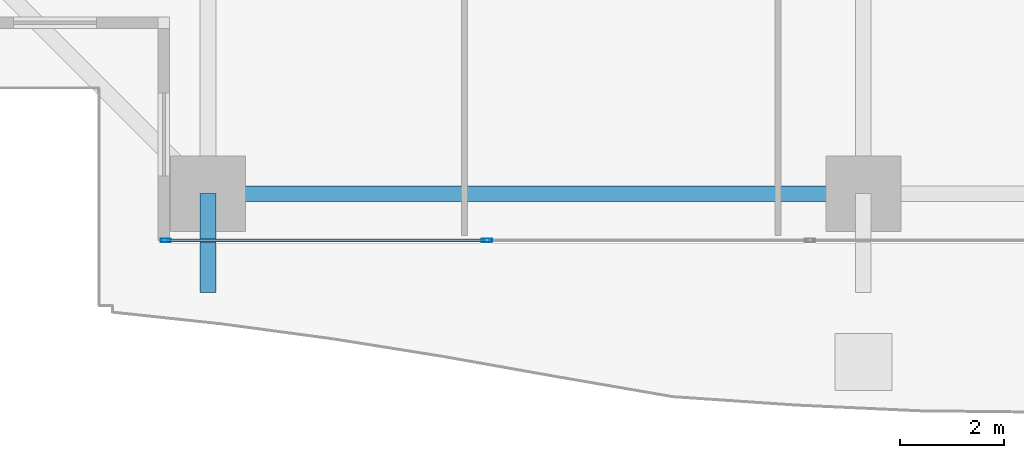
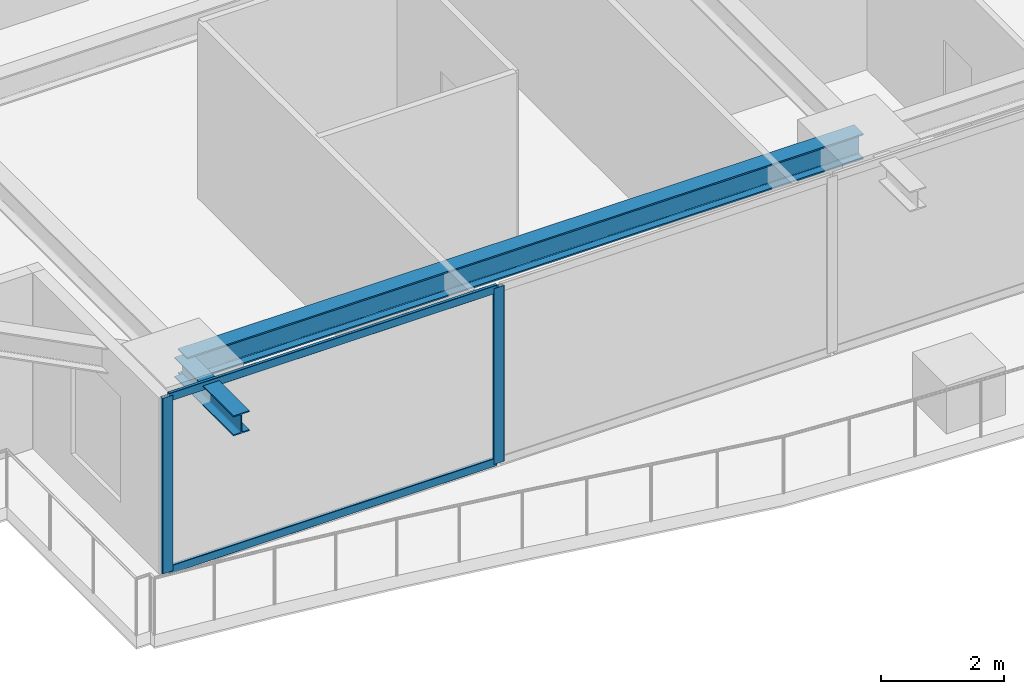
# One storey, part 2 of 39: 4 members, 2 beams, 1 element without a shape of its own.
"""IFC4 building model written with IfcOpenShell, lengths in metres."""

from ifc_helpers import new_model, si_unit, direction, frame, origin, origin_2d, place, context, subcontext, project, spatial, hollow_rectangle, i_section, extrude, source, transform, mapped, material, layer, layer_set, material_profile, profile_set, type_object, element, aggregate, save


model = new_model("IFC4")

# Units and contexts
model_context = context("Model", 3, precision=1e-05, world=origin(), true_north=direction((0.0, 1.0)))
body_context = subcontext(model_context, "Body", "Model", "MODEL_VIEW")
ifc_project = project(units=[si_unit("LENGTHUNIT", "METRE"), si_unit("AREAUNIT", "SQUARE_METRE"), si_unit("VOLUMEUNIT", "CUBIC_METRE"), si_unit("PLANEANGLEUNIT", "RADIAN"), si_unit("MASSUNIT", "GRAM", prefix="KILO")], contexts=[model_context])

# Site, building, storey
site_placement = place(None, origin())
site = spatial("IfcSite", under=ifc_project, at=site_placement, CompositionType="ELEMENT")
building_placement = place(site_placement, origin())
building = spatial("IfcBuilding", under=site, at=building_placement, Name="Serunith Strait Residences", CompositionType="ELEMENT")
storey_placement = place(building_placement, frame((0.0, 0.0, 49.199951171875)))
storey = spatial("IfcBuildingStorey", under=building, at=storey_placement, Name="L11", CompositionType="ELEMENT", Elevation=49.199951171875)

# Beams
ifc_material_1 = material(Name="Steel S355J2", Category="steel")
ifc_material_profile_1 = material_profile(ifc_material_1, i_section(OverallWidth=0.300048828125, OverallDepth=0.5, WebThickness=0.014404296875, FlangeThickness=0.028076171875, FilletRadius=0.027099609375, at=origin_2d()), Name="HEB 500")
ifc_profile_set_1 = profile_set([ifc_material_profile_1], Name="Steel S355J2")
beam_type_1 = type_object("IfcBeamType", Name="BM-HEB500", PredefinedType="BEAM", material=ifc_profile_set_1)
shared_shape_1 = source(origin(), body_context, "Body", "SweptSolid", [
    extrude(i_section(OverallWidth=0.300048828125, OverallDepth=0.5, WebThickness=0.014404296875, FlangeThickness=0.028076171875, FilletRadius=0.027099609375, at=origin_2d()), origin(), (0.0, 0.0, 1.0), 12.64990234375),
])
beam_1_placement = place(storey_placement, frame((15.25, 1.10009765625, 3.237060546875), z_axis=(1.0, 0.0, 0.0), x_axis=(0.0, 1.0, 0.0)))
element("IfcBeam", 1, at=beam_1_placement, inside=storey, type_object=beam_type_1, Name="L11 Perimeter Ring Beam 01", PredefinedType="BEAM", context=body_context, shape_type="MappedRepresentation", body=[
    mapped(shared_shape_1, transform((0.0, 0.0, 0.0), scale=1.0)),
])
ifc_material_profile_2 = material_profile(ifc_material_1, i_section(OverallWidth=0.300048828125, OverallDepth=0.39990234375, WebThickness=0.013427734375, FlangeThickness=0.02392578125, FilletRadius=0.027099609375, at=origin_2d()), Name="HEB 400")
ifc_profile_set_2 = profile_set([ifc_material_profile_2], Name="Steel S355J2")
beam_type_2 = type_object("IfcBeamType", Name="BM-HEB400", PredefinedType="BEAM", material=ifc_profile_set_2)
shared_shape_2 = source(origin(), body_context, "Body", "SweptSolid", [
    extrude(i_section(OverallWidth=0.300048828125, OverallDepth=0.39990234375, WebThickness=0.013427734375, FlangeThickness=0.02392578125, FilletRadius=0.027099609375, at=origin_2d()), origin(), (0.0, 0.0, 1.0), 1.91015625),
])
beam_2_placement = place(storey_placement, frame((15.25, 1.10009765625, 3.257080078125), z_axis=(0.0, -1.0, 0.0), x_axis=(1.0, 0.0, 0.0)))
element("IfcBeam", 2, at=beam_2_placement, inside=storey, type_object=beam_type_2, Name="L12 Cantilevered Balcony Rib TC-S1", PredefinedType="BEAM", context=body_context, shape_type="MappedRepresentation", body=[
    mapped(shared_shape_2, transform((0.0, 0.0, 0.0), scale=1.0)),
])

# Curtain wall, members
ifc_material_2 = material(Name="Pale-Champagne Anodised Aluminium", Category="aluminium")
ifc_layer = layer(ifc_material_2, 0.199951171875, Name="Pale-Champagne Anodised Aluminium")
ifc_layer_set = layer_set([ifc_layer], Name="Pale-Champagne Anodised Aluminium")
curtain_wall_type = type_object("IfcCurtainWallType", Name="CW-SYS1", PredefinedType="NOTDEFINED", material=ifc_layer_set)
curtain_wall_placement = place(storey_placement, origin())
curtain_wall = element("IfcCurtainWall", 3, at=curtain_wall_placement, inside=storey, type_object=curtain_wall_type, Name="L11 S Unitised Fritted Curtain Wall", PredefinedType="NOTDEFINED")
ifc_material_profile_3 = material_profile(ifc_material_2, hollow_rectangle(XDim=0.070068359375, YDim=0.199951171875, WallThickness=0.00390625, InnerFilletRadius=0.006103515625, OuterFilletRadius=0.010009765625, at=origin_2d()), Name="ALU 200x70x4")
ifc_profile_set_3 = profile_set([ifc_material_profile_3], Name="Pale-Champagne Anodised Aluminium")
member_type_1 = type_object("IfcMemberType", Name="CW-SYS1-MULL", PredefinedType="MULLION", material=ifc_profile_set_3)
shared_shape_3 = source(origin(), body_context, "Body", "SweptSolid", [
    extrude(hollow_rectangle(XDim=0.070068359375, YDim=0.199951171875, WallThickness=0.00390625, InnerFilletRadius=0.006103515625, OuterFilletRadius=0.010009765625, at=origin_2d()), origin(), (0.0, 0.0, 1.0), 3.47509765625),
])
member_1_placement = place(storey_placement, frame((14.43505859375, 0.199951171875, 0.0), z_axis=(0.0, 0.0, 1.0), x_axis=(0.0, 1.0, 0.0)))
member_1 = element("IfcMember", 4, at=member_1_placement, type_object=member_type_1, Name="CW-1 mullion 1", PredefinedType="MULLION", context=body_context, shape_type="MappedRepresentation", body=[
    mapped(shared_shape_3, transform((0.0, 0.0, 0.0), scale=1.0)),
])
member_2_placement = place(storey_placement, frame((20.63330078125, 0.199951171875, 0.0), z_axis=(0.0, 0.0, 1.0), x_axis=(0.0, 1.0, 0.0)))
member_2 = element("IfcMember", 5, at=member_2_placement, type_object=member_type_1, Name="CW-1 mullion 2", PredefinedType="MULLION", context=body_context, shape_type="MappedRepresentation", body=[
    mapped(shared_shape_3, transform((0.0, 0.0, 0.0), scale=1.0)),
])
ifc_material_profile_4 = material_profile(ifc_material_2, hollow_rectangle(XDim=0.06005859375, YDim=0.159912109375, WallThickness=0.00341796875, InnerFilletRadius=0.00537109375, OuterFilletRadius=0.0087890625, at=origin_2d()), Name="ALU 160x60x3.5")
ifc_profile_set_4 = profile_set([ifc_material_profile_4], Name="Pale-Champagne Anodised Aluminium")
member_type_2 = type_object("IfcMemberType", Name="CW-SYS1-TRAN", PredefinedType="USERDEFINED", material=ifc_profile_set_4)
shared_shape_4 = source(origin(), body_context, "Body", "SweptSolid", [
    extrude(hollow_rectangle(XDim=0.06005859375, YDim=0.159912109375, WallThickness=0.00341796875, InnerFilletRadius=0.00537109375, OuterFilletRadius=0.0087890625, at=origin_2d()), origin(), (0.0, 0.0, 1.0), 6.12841796875),
])
member_3_placement = place(storey_placement, frame((14.469970703125, 0.199951171875, 0.030029296875), z_axis=(1.0, 0.0, 0.0), x_axis=(0.0, 1.0, 0.0)))
member_3 = element("IfcMember", 6, at=member_3_placement, type_object=member_type_2, Name="CW-1 transom 1.1", ObjectType="TRANSOM", PredefinedType="USERDEFINED", context=body_context, shape_type="MappedRepresentation", body=[
    mapped(shared_shape_4, transform((0.0, 0.0, 0.0), scale=1.0)),
])
member_4_placement = place(storey_placement, frame((14.469970703125, 0.199951171875, 3.445068359375), z_axis=(1.0, 0.0, 0.0), x_axis=(0.0, 1.0, 0.0)))
member_4 = element("IfcMember", 7, at=member_4_placement, type_object=member_type_2, Name="CW-1 transom 1.2", ObjectType="TRANSOM", PredefinedType="USERDEFINED", context=body_context, shape_type="MappedRepresentation", body=[
    mapped(shared_shape_4, transform((0.0, 0.0, 0.0), scale=1.0)),
])
aggregate(curtain_wall, [member_1, member_2, member_3, member_4])

save(model, "model.ifc")
